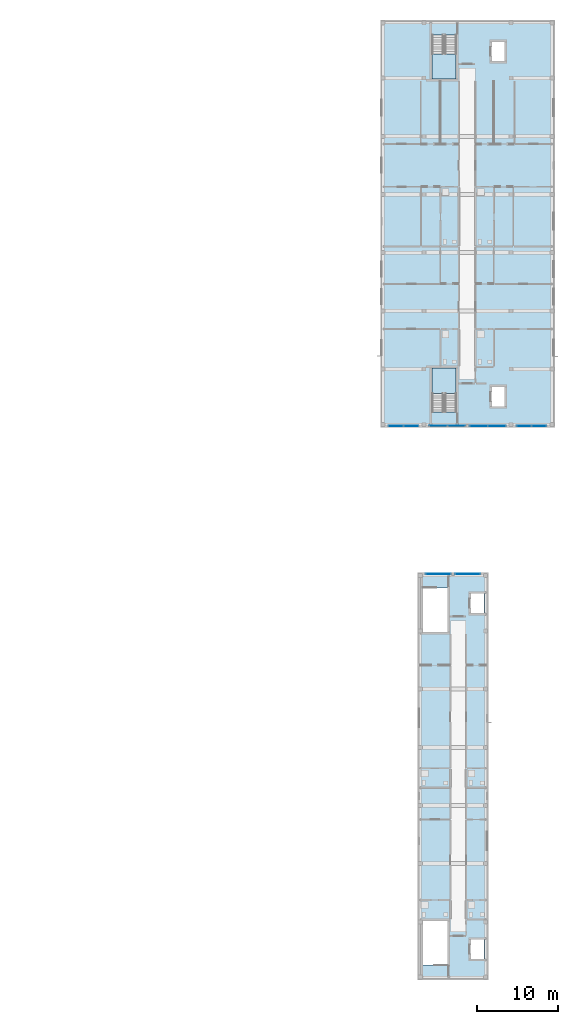
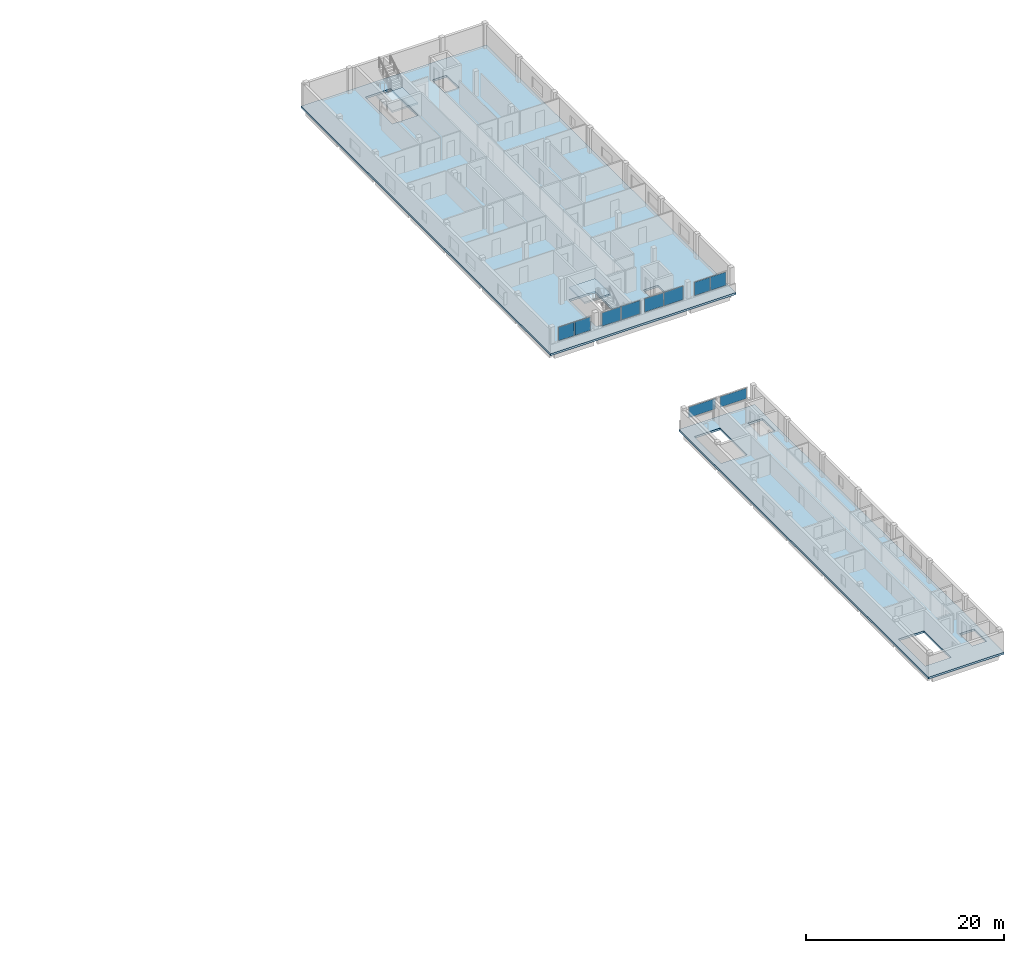
# One storey, part 10 of 28: 10 plates, 4 slabs, 8 elements without a shape of their own.
"""IFC4 building model written with IfcOpenShell, lengths in metres."""

from ifc_helpers import new_model, si_unit, derived_unit, direction, frame, origin, origin_2d, place, context, subcontext, project, spatial, polyline, rectangle, outline, extrude, material, layer, layer_set, type_object, element, aggregate, save


model = new_model("IFC4")

# Units and contexts
model_context = context("Model", 3, precision=1e-05, world=origin(), true_north=direction((0.0, 1.0)))
body_context = subcontext(model_context, "Body", "Model", "MODEL_VIEW")
ifc_project = project(units=[si_unit("LENGTHUNIT", "METRE"), si_unit("AREAUNIT", "SQUARE_METRE"), si_unit("VOLUMEUNIT", "CUBIC_METRE"), si_unit("PLANEANGLEUNIT", "RADIAN"), si_unit("MASSUNIT", "GRAM", prefix="KILO"), derived_unit("THERMALTRANSMITTANCEUNIT", [(si_unit("MASSUNIT", "GRAM", prefix="KILO"), 1), (si_unit("TIMEUNIT", "SECOND"), -3), (si_unit("THERMODYNAMICTEMPERATUREUNIT", "KELVIN"), -1)])], contexts=[model_context])

# Site, building, storey
site_placement = place(None, origin())
site = spatial("IfcSite", under=ifc_project, at=site_placement, CompositionType="ELEMENT")
building_placement = place(site_placement, origin())
building = spatial("IfcBuilding", under=site, at=building_placement, Name="Ochrekiln Boulevard Commons", CompositionType="ELEMENT")
storey_placement = place(building_placement, frame((0.0, 0.0, 34.125)))
storey = spatial("IfcBuildingStorey", under=building, at=storey_placement, Name="L10", CompositionType="ELEMENT", Elevation=34.125)

# Curtain wall, plates
ifc_material_1 = material(Name="Bronze-anodized extruded aluminium 6063-T6", Category="aluminium")
ifc_layer_1 = layer(ifc_material_1, 0.18408203125)
ifc_layer_set_1 = layer_set([ifc_layer_1], Name="Bronze-anodized extruded aluminium 6063-T6")
curtain_wall_type = type_object("IfcCurtainWallType", Name="CW-GABLE-B", PredefinedType="USERDEFINED", material=ifc_layer_set_1)
curtain_wall_1_placement = place(storey_placement, origin())
curtain_wall_1 = element("IfcCurtainWall", 1, at=curtain_wall_1_placement, inside=storey, type_object=curtain_wall_type, Name="Block B L10 Courtyard Glazed Gable Curtain Wall 2", ObjectType="GLAZED CURTAIN WALL", PredefinedType="USERDEFINED")
ifc_material_2 = material(Name="Spectrally selective low-E insulated glazing", Category="glass")
ifc_layer_2 = layer(ifc_material_2, 0.02392578125)
ifc_layer_set_2 = layer_set([ifc_layer_2], Name="Spectrally selective low-E insulated glazing")
plate_type_1 = type_object("IfcPlateType", Name="CWP-GLZ-1", PredefinedType="CURTAIN_PANEL", material=ifc_layer_set_2)
plate_1_placement = place(storey_placement, frame((158.38134765625, 68.570068359375, 1.175048828125), z_axis=(0.0, 0.0, 1.0), x_axis=(1.0, 0.0, 0.0)))
plate_1 = element("IfcPlate", 2, at=plate_1_placement, type_object=plate_type_1, Name="CW-02 panel 1.1", PredefinedType="CURTAIN_PANEL", context=body_context, shape_type="SweptSolid", body=[
    extrude(rectangle(XDim=2.1923828125, YDim=0.02392578125, at=origin_2d()), origin(), (0.0, 0.0, 1.0), 1.64990234375),
])
plate_2_placement = place(storey_placement, frame((160.638671875, 68.570068359375, 1.175048828125), z_axis=(0.0, 0.0, 1.0), x_axis=(1.0, 0.0, 0.0)))
plate_2 = element("IfcPlate", 3, at=plate_2_placement, type_object=plate_type_1, Name="CW-02 panel 2.1", PredefinedType="CURTAIN_PANEL", context=body_context, shape_type="SweptSolid", body=[
    extrude(rectangle(XDim=2.1923828125, YDim=0.02392578125, at=origin_2d()), origin(), (0.0, 0.0, 1.0), 1.64990234375),
])
aggregate(curtain_wall_1, [plate_1, plate_2])

# Curtain wall, plate
curtain_wall_2_placement = place(storey_placement, origin())
curtain_wall_2 = element("IfcCurtainWall", 4, at=curtain_wall_2_placement, inside=storey, type_object=curtain_wall_type, Name="Block C L10 Courtyard Glazed Gable Curtain Wall 2", ObjectType="GLAZED CURTAIN WALL", PredefinedType="USERDEFINED")
plate_3_placement = place(storey_placement, frame((162.014892578125, 50.235107421875, 1.175048828125), z_axis=(0.0, 0.0, 1.0), x_axis=(1.0, 0.0, 0.0)))
plate_3 = element("IfcPlate", 5, at=plate_3_placement, type_object=plate_type_1, Name="CW-02 panel 1.1", PredefinedType="CURTAIN_PANEL", context=body_context, shape_type="SweptSolid", body=[
    extrude(rectangle(XDim=3.10009765625, YDim=0.02392578125, at=origin_2d()), origin(), (0.0, 0.0, 1.0), 1.31005859375),
])
aggregate(curtain_wall_2, [plate_3])

# Curtain wall, plates
curtain_wall_3_placement = place(storey_placement, origin())
curtain_wall_3 = element("IfcCurtainWall", 6, at=curtain_wall_3_placement, inside=storey, type_object=curtain_wall_type, Name="Block B L10 Courtyard Glazed Gable Curtain Wall 3", ObjectType="GLAZED CURTAIN WALL", PredefinedType="USERDEFINED")
ifc_layer_3 = layer(ifc_material_2, 0.030029296875)
ifc_layer_set_3 = layer_set([ifc_layer_3], Name="Spectrally selective low-E insulated glazing")
plate_type_2 = type_object("IfcPlateType", Name="CWP-GLZ-2", PredefinedType="CURTAIN_PANEL", material=ifc_layer_set_3)
plate_4_placement = place(storey_placement, frame((163.360107421875, 68.570068359375, 1.169921875), z_axis=(0.0, 0.0, 1.0), x_axis=(1.0, 0.0, 0.0)))
plate_4 = element("IfcPlate", 7, at=plate_4_placement, type_object=plate_type_2, Name="CW-02 panel 1.1", PredefinedType="CURTAIN_PANEL", context=body_context, shape_type="SweptSolid", body=[
    extrude(rectangle(XDim=2.199951171875, YDim=0.030029296875, at=origin_2d()), origin(), (0.0, 0.0, 1.0), 1.659912109375),
])
plate_5_placement = place(storey_placement, frame((165.6201171875, 68.570068359375, 1.169921875), z_axis=(0.0, 0.0, 1.0), x_axis=(1.0, 0.0, 0.0)))
plate_5 = element("IfcPlate", 8, at=plate_5_placement, type_object=plate_type_2, Name="CW-02 panel 2.1", PredefinedType="CURTAIN_PANEL", context=body_context, shape_type="SweptSolid", body=[
    extrude(rectangle(XDim=2.199951171875, YDim=0.030029296875, at=origin_2d()), origin(), (0.0, 0.0, 1.0), 1.659912109375),
])
aggregate(curtain_wall_3, [plate_4, plate_5])

curtain_wall_4_placement = place(storey_placement, origin())
curtain_wall_4 = element("IfcCurtainWall", 9, at=curtain_wall_4_placement, inside=storey, type_object=curtain_wall_type, Name="Block B L10 Courtyard Glazed Gable Curtain Wall 4", ObjectType="GLAZED CURTAIN WALL", PredefinedType="USERDEFINED")
ifc_layer_4 = layer(ifc_material_2, 0.035888671875)
ifc_layer_set_4 = layer_set([ifc_layer_4], Name="Spectrally selective low-E insulated glazing")
plate_type_3 = type_object("IfcPlateType", Name="CWP-GLZ-3", PredefinedType="CURTAIN_PANEL", material=ifc_layer_set_4)
plate_6_placement = place(storey_placement, frame((168.98876953125, 68.570068359375, 1.175048828125), z_axis=(0.0, 0.0, 1.0), x_axis=(1.0, 0.0, 0.0)))
plate_6 = element("IfcPlate", 10, at=plate_6_placement, type_object=plate_type_3, Name="CW-02 panel 1.1", PredefinedType="CURTAIN_PANEL", context=body_context, shape_type="SweptSolid", body=[
    extrude(rectangle(XDim=1.8076171875, YDim=0.035888671875, at=origin_2d()), origin(), (0.0, 0.0, 1.0), 1.64990234375),
])
plate_7_placement = place(storey_placement, frame((170.861328125, 68.570068359375, 1.175048828125), z_axis=(0.0, 0.0, 1.0), x_axis=(1.0, 0.0, 0.0)))
plate_7 = element("IfcPlate", 11, at=plate_7_placement, type_object=plate_type_3, Name="CW-02 panel 2.1", PredefinedType="CURTAIN_PANEL", context=body_context, shape_type="SweptSolid", body=[
    extrude(rectangle(XDim=1.8076171875, YDim=0.035888671875, at=origin_2d()), origin(), (0.0, 0.0, 1.0), 1.64990234375),
])
aggregate(curtain_wall_4, [plate_6, plate_7])

curtain_wall_5_placement = place(storey_placement, origin())
curtain_wall_5 = element("IfcCurtainWall", 12, at=curtain_wall_5_placement, inside=storey, type_object=curtain_wall_type, Name="Block B L10 Courtyard Glazed Gable Curtain Wall 1", ObjectType="GLAZED CURTAIN WALL", PredefinedType="USERDEFINED")
ifc_layer_5 = layer(ifc_material_2, 0.0419921875)
ifc_layer_set_5 = layer_set([ifc_layer_5], Name="Spectrally selective low-E insulated glazing")
plate_type_4 = type_object("IfcPlateType", Name="CWP-GLZ-4", PredefinedType="CURTAIN_PANEL", material=ifc_layer_set_5)
plate_8_placement = place(storey_placement, frame((153.137451171875, 68.570068359375, 1.169921875), z_axis=(0.0, 0.0, 1.0), x_axis=(1.0, 0.0, 0.0)))
plate_8 = element("IfcPlate", 13, at=plate_8_placement, type_object=plate_type_4, Name="CW-02 panel 1.1", PredefinedType="CURTAIN_PANEL", context=body_context, shape_type="SweptSolid", body=[
    extrude(rectangle(XDim=1.81494140625, YDim=0.0419921875, at=origin_2d()), origin(), (0.0, 0.0, 1.0), 1.659912109375),
])
plate_9_placement = place(storey_placement, frame((155.012451171875, 68.570068359375, 1.169921875), z_axis=(0.0, 0.0, 1.0), x_axis=(1.0, 0.0, 0.0)))
plate_9 = element("IfcPlate", 14, at=plate_9_placement, type_object=plate_type_4, Name="CW-02 panel 2.1", PredefinedType="CURTAIN_PANEL", context=body_context, shape_type="SweptSolid", body=[
    extrude(rectangle(XDim=1.81494140625, YDim=0.0419921875, at=origin_2d()), origin(), (0.0, 0.0, 1.0), 1.659912109375),
])
aggregate(curtain_wall_5, [plate_8, plate_9])

# Curtain wall, plate
curtain_wall_6_placement = place(storey_placement, origin())
curtain_wall_6 = element("IfcCurtainWall", 15, at=curtain_wall_6_placement, inside=storey, type_object=curtain_wall_type, Name="Block C L10 Courtyard Glazed Gable Curtain Wall 1", ObjectType="GLAZED CURTAIN WALL", PredefinedType="USERDEFINED")
plate_10_placement = place(storey_placement, frame((158.385009765625, 50.235107421875, 1.175048828125), z_axis=(0.0, 0.0, 1.0), x_axis=(1.0, 0.0, 0.0)))
plate_10 = element("IfcPlate", 16, at=plate_10_placement, type_object=plate_type_4, Name="CW-02 panel 1.1", PredefinedType="CURTAIN_PANEL", context=body_context, shape_type="SweptSolid", body=[
    extrude(rectangle(XDim=3.10009765625, YDim=0.0419921875, at=origin_2d()), origin(), (0.0, 0.0, 1.0), 1.31005859375),
])
aggregate(curtain_wall_6, [plate_10])

# Stair, slab
ifc_material_3 = material(Name="Concrete C35/45", Category="concrete")
stair_type = type_object("IfcStairType", Name="STR-DL-315", PredefinedType="TWO_STRAIGHT_RUN_STAIR", material=ifc_material_3)
stair_1_placement = place(storey_placement, origin())
stair_1 = element("IfcStair", 17, at=stair_1_placement, inside=storey, type_object=stair_type, Name="L10 Enclosed Exit Stair ST-B1", PredefinedType="TWO_STRAIGHT_RUN_STAIR")
ifc_layer_6 = layer(ifc_material_3, 0.199951171875)
ifc_layer_set_6 = layer_set([ifc_layer_6], Name="Concrete C35/45")
slab_type_1 = type_object("IfcSlabType", Name="SLB-LND-200", PredefinedType="LANDING", material=ifc_layer_set_6)
slab_1_placement = place(storey_placement, frame((0.0, 0.0, 1.375)))
slab_1 = element("IfcSlab", 18, at=slab_1_placement, type_object=slab_type_1, Name="ST-B1 landing 1", PredefinedType="LANDING", context=body_context, shape_type="SweptSolid", body=[
    extrude(outline(polyline([(160.60009765625, 72.590087890625), (160.60009765625, 75.719970703125), (157.60009765625, 75.719970703125), (157.60009765625, 72.590087890625), (160.60009765625, 72.590087890625)])), origin(), (0.0, 0.0, 1.0), 0.199951171875),
])
aggregate(stair_1, [slab_1])

stair_2_placement = place(storey_placement, origin())
stair_2 = element("IfcStair", 19, at=stair_2_placement, inside=storey, type_object=stair_type, Name="L10 Enclosed Exit Stair ST-B2", PredefinedType="TWO_STRAIGHT_RUN_STAIR")
slab_2_placement = place(storey_placement, frame((0.0, 0.0, 1.375)))
slab_2 = element("IfcSlab", 20, at=slab_2_placement, type_object=slab_type_1, Name="ST-B2 landing 1", PredefinedType="LANDING", context=body_context, shape_type="SweptSolid", body=[
    extrude(outline(polyline([(157.60009765625, 114.610107421875), (157.60009765625, 111.47998046875), (160.60009765625, 111.47998046875), (160.60009765625, 114.610107421875), (157.60009765625, 114.610107421875)])), origin(), (0.0, 0.0, 1.0), 0.199951171875),
])
aggregate(stair_2, [slab_2])

# Slabs
ifc_layer_7 = layer(ifc_material_3, 0.25)
ifc_layer_set_7 = layer_set([ifc_layer_7], Name="Concrete C35/45")
slab_type_2 = type_object("IfcSlabType", Name="SLB-LOFT-250", PredefinedType="FLOOR", material=ifc_layer_set_7)
slab_3_placement = place(storey_placement, frame((0.0, 0.0, -0.25)))
element("IfcSlab", 21, at=slab_3_placement, inside=storey, type_object=slab_type_2, Name="Block B L10 Reinforced Concrete Floor Slab", PredefinedType="FLOOR", context=body_context, shape_type="SweptSolid", body=[
    extrude(outline(polyline([(151.199951171875, 68.39990234375), (172.800048828125, 68.39990234375), (172.800048828125, 118.800048828125), (151.199951171875, 118.800048828125), (151.199951171875, 68.39990234375)]), holes=[polyline([(160.60009765625, 70.2705078125), (160.60009765625, 75.719970703125), (157.60009765625, 75.719970703125), (157.60009765625, 70.2705078125), (160.60009765625, 70.2705078125)]), polyline([(157.60009765625, 116.929443359375), (157.60009765625, 111.47998046875), (160.60009765625, 111.47998046875), (160.60009765625, 116.929443359375), (157.60009765625, 116.929443359375)]), polyline([(164.949951171875, 70.949951171875), (166.64990234375, 70.949951171875), (166.64990234375, 73.449951171875), (164.949951171875, 73.449951171875), (164.949951171875, 70.949951171875)]), polyline([(164.949951171875, 113.64990234375), (166.64990234375, 113.64990234375), (166.64990234375, 116.14990234375), (164.949951171875, 116.14990234375), (164.949951171875, 113.64990234375)])]), origin(), (0.0, 0.0, 1.0), 0.25),
])
slab_4_placement = place(storey_placement, frame((0.0, 0.0, -0.25)))
element("IfcSlab", 22, at=slab_4_placement, inside=storey, type_object=slab_type_2, Name="Block C L10 Reinforced Concrete Floor Slab", PredefinedType="FLOOR", context=body_context, shape_type="SweptSolid", body=[
    extrude(outline(polyline([(155.800048828125, 0.0), (164.60009765625, 0.0), (164.60009765625, 50.39990234375), (155.800048828125, 50.39990234375), (155.800048828125, 0.0)]), holes=[polyline([(159.5, 1.87060546875), (159.5, 7.320068359375), (156.5, 7.320068359375), (156.5, 1.87060546875), (159.5, 1.87060546875)]), polyline([(156.5, 48.529541015625), (156.5, 43.080078125), (159.5, 43.080078125), (159.5, 48.529541015625), (156.5, 48.529541015625)]), polyline([(162.35009765625, 2.550048828125), (164.050048828125, 2.550048828125), (164.050048828125, 5.050048828125), (162.35009765625, 5.050048828125), (162.35009765625, 2.550048828125)]), polyline([(162.35009765625, 45.35009765625), (164.050048828125, 45.35009765625), (164.050048828125, 47.85009765625), (162.35009765625, 47.85009765625), (162.35009765625, 45.35009765625)])]), origin(), (0.0, 0.0, 1.0), 0.25),
])

save(model, "model.ifc")
